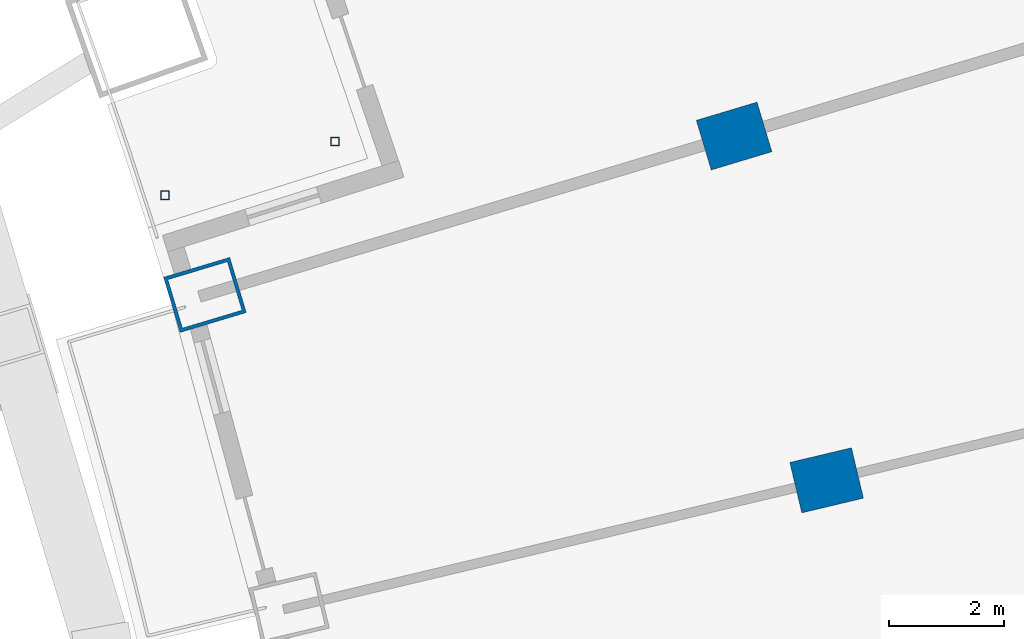
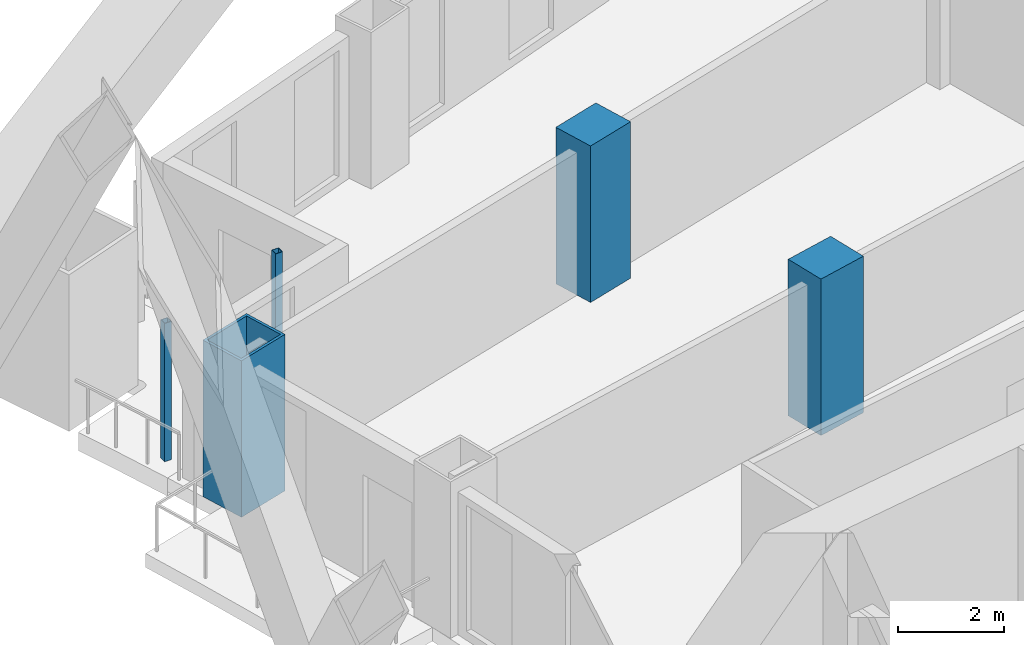
# One storey, part 7 of 25: 5 columns.
"""IFC4 building model written with IfcOpenShell, lengths in metres."""

from ifc_helpers import new_model, si_unit, direction, frame, origin, origin_2d, place, context, subcontext, project, spatial, rectangle, hollow_rectangle, extrude, material, material_profile, profile_set, type_object, element, save


model = new_model("IFC4")

# Units and contexts
model_context = context("Model", 3, precision=1e-05, world=origin(), true_north=direction((0.0, 1.0)))
body_context = subcontext(model_context, "Body", "Model", "MODEL_VIEW")
ifc_project = project(units=[si_unit("LENGTHUNIT", "METRE"), si_unit("AREAUNIT", "SQUARE_METRE"), si_unit("VOLUMEUNIT", "CUBIC_METRE"), si_unit("PLANEANGLEUNIT", "RADIAN"), si_unit("MASSUNIT", "GRAM", prefix="KILO")], contexts=[model_context])

# Site, building, storey
site_placement = place(None, origin())
site = spatial("IfcSite", under=ifc_project, at=site_placement, CompositionType="ELEMENT")
building_placement = place(site_placement, origin())
building = spatial("IfcBuilding", under=site, at=building_placement, Name="Alderwake Tower", CompositionType="ELEMENT")
storey_placement = place(building_placement, frame((0.0, 0.0, 32.0)))
storey = spatial("IfcBuildingStorey", under=building, at=storey_placement, Name="L06", CompositionType="ELEMENT", Elevation=32.0)

# Columns
ifc_material_1 = material(Name="Concrete C70/85", Category="concrete")
ifc_material_profile_1 = material_profile(ifc_material_1, rectangle(XDim=0.89990234375, YDim=1.10009765625, at=origin_2d()), Name="RC 1100X900")
ifc_profile_set_1 = profile_set([ifc_material_profile_1], Name="Concrete C70/85")
column_type_1 = type_object("IfcColumnType", Name="Interior column Z1", PredefinedType="COLUMN", material=ifc_profile_set_1)
for number, where, z_axis, x_axis, name in (
    (1, (23.322021484375, 85.555908203125, 0.0), (0.0, 0.0, 1.0), (-0.231221547198, 0.972901123502, 0.0), "Column R11-C1"),
    (2, (21.714599609375, 91.53759765625, 0.0), (0.0, 0.0, 1.0), (-0.287549418125, 0.957765802342, 0.0), "Column R12-C1"),
):
    element("IfcColumn", number, at=place(storey_placement, frame(where, z_axis=z_axis, x_axis=x_axis)), inside=storey, type_object=column_type_1, Name=name, PredefinedType="COLUMN", context=body_context, shape_type="SweptSolid", body=[
        extrude(rectangle(XDim=0.89990234375, YDim=1.10009765625, at=origin_2d()), origin(), (0.0, 0.0, 1.0), 3.60009765625),
    ])
ifc_material_2 = material(Name="Steel ASTM A500 Grade C", Category="steel")
ifc_material_profile_2 = material_profile(ifc_material_2, hollow_rectangle(XDim=0.15234375, YDim=0.15234375, WallThickness=0.0087890625, at=origin_2d()), Name="HSS6X6X3/8")
ifc_profile_set_2 = profile_set([ifc_material_profile_2], Name="Steel ASTM A500 Grade C")
column_type_2 = type_object("IfcColumnType", Name="Light post HSS6X6X3/8", PredefinedType="COLUMN", material=ifc_profile_set_2)
for number, where, z_axis, x_axis, name in (
    (3, (11.82568359375, 90.507080078125, 0.0), (0.0, 0.0, 1.0), (1.0, 0.0, 0.0), "Terrace post RN1"),
    (4, (14.781494140625, 91.441650390625, 0.0), (0.0, 0.0, 1.0), (1.0, 0.0, 0.0), "Terrace post RN3"),
):
    element("IfcColumn", number, at=place(storey_placement, frame(where, z_axis=z_axis, x_axis=x_axis)), inside=storey, type_object=column_type_2, Name=name, PredefinedType="COLUMN", context=body_context, shape_type="SweptSolid", body=[
        extrude(hollow_rectangle(XDim=0.15234375, YDim=0.15234375, WallThickness=0.0087890625, at=origin_2d()), origin(), (0.0, 0.0, 1.0), 3.179931640625),
    ])
ifc_material_3 = material(Name="Steel ASTM A572 Grade 50 concrete filled C70/85", Category="concrete")
ifc_material_profile_3 = material_profile(ifc_material_3, hollow_rectangle(XDim=1.0, YDim=1.199951171875, WallThickness=0.06005859375, at=origin_2d()), Name="BOX 1200X1000X60")
ifc_profile_set_3 = profile_set([ifc_material_profile_3], Name="Steel ASTM A572 Grade 50 concrete filled C70/85")
column_type_3 = type_object("IfcColumnType", Name="Perimeter column Z1", PredefinedType="COLUMN", material=ifc_profile_set_3)
column_placement = place(storey_placement, frame((12.520263671875, 88.777099609375, 0.0), z_axis=(0.0, 0.0, 1.0), x_axis=(-0.287549418125, 0.957765802342, 0.0)))
element("IfcColumn", 5, at=column_placement, inside=storey, type_object=column_type_3, Name="Column R12-C0", PredefinedType="COLUMN", context=body_context, shape_type="SweptSolid", body=[
    extrude(hollow_rectangle(XDim=1.0, YDim=1.199951171875, WallThickness=0.06005859375, at=origin_2d()), origin(), (0.0, 0.0, 1.0), 3.60009765625),
])

save(model, "model.ifc")
